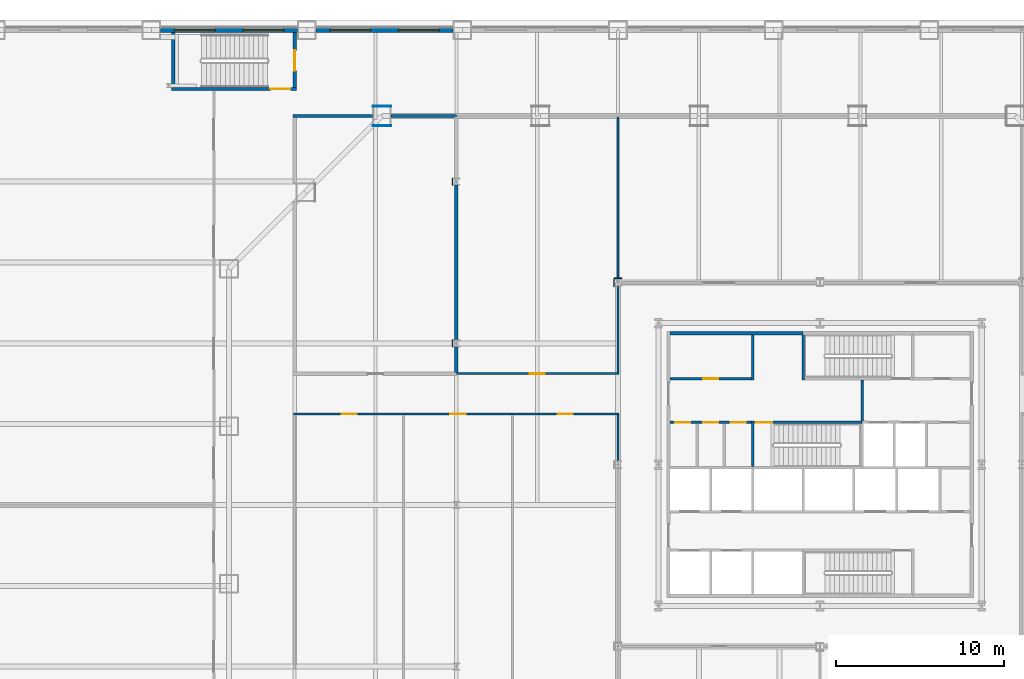
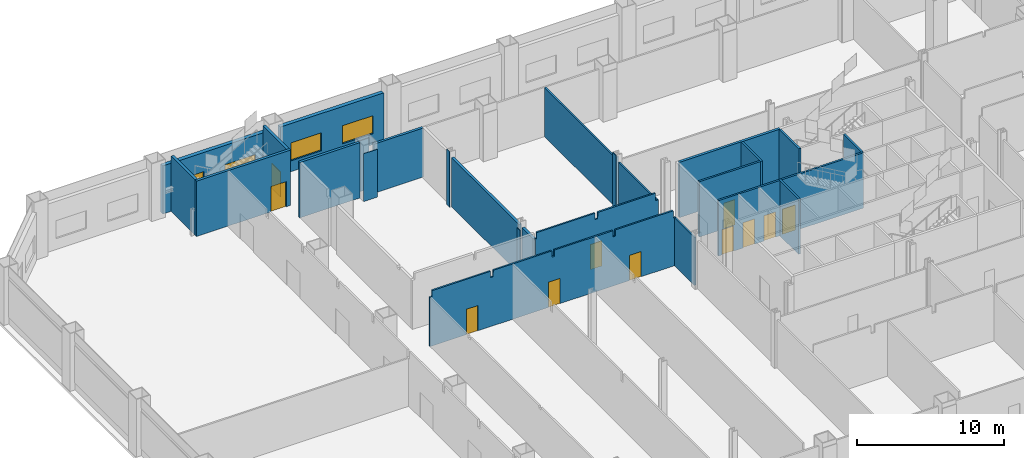
# One storey, part 15 of 25: 28 walls, 11 doors, 4 windows, 15 openings.
"""IFC4 building model written with IfcOpenShell, lengths in metres."""

from ifc_helpers import new_model, si_unit, direction, frame, frame_2d, origin, place, context, subcontext, project, spatial, polyline, rectangle, outline, extrude, material, layer, layer_set, type_object, element, fill, save


model = new_model("IFC4")

# Units and contexts
model_context = context("Model", 3, precision=1e-05, world=origin(), true_north=direction((0.0, 1.0)))
body_context = subcontext(model_context, "Body", "Model", "MODEL_VIEW")
ifc_project = project(units=[si_unit("LENGTHUNIT", "METRE"), si_unit("AREAUNIT", "SQUARE_METRE"), si_unit("VOLUMEUNIT", "CUBIC_METRE"), si_unit("PLANEANGLEUNIT", "RADIAN"), si_unit("MASSUNIT", "GRAM", prefix="KILO")], contexts=[model_context])

# Site, building, storey
site_placement = place(None, origin())
site = spatial("IfcSite", under=ifc_project, at=site_placement, CompositionType="ELEMENT")
building_placement = place(site_placement, origin())
building = spatial("IfcBuilding", under=site, at=building_placement, Name="Cairn Pilgrim Tower", CompositionType="ELEMENT")
storey_placement = place(building_placement, frame((0.0, 0.0, 30.60009765625)))
storey = spatial("IfcBuildingStorey", under=building, at=storey_placement, Name="L05", CompositionType="ELEMENT", Elevation=30.60009765625)

# Wall
ifc_material_1 = material(Name="Concrete C32/40", Category="concrete")
ifc_layer_1 = layer(ifc_material_1, 0.199951171875)
ifc_layer_set_1 = layer_set([ifc_layer_1], Name="CORE OUTER WALL 200 EI 120")
wall_type_1 = type_object("IfcWallType", Name="CORE OUTER WALL 200 EI 120", PredefinedType="SOLIDWALL", material=ifc_layer_set_1)
wall_1_placement = place(storey_placement, frame((-1.699951171875, 10.199951171875, 0.0), z_axis=(0.0, 0.0, 1.0), x_axis=(1.0, 0.0, 0.0)))
element("IfcWall", 1, at=wall_1_placement, inside=storey, type_object=wall_type_1, Name="CW:L05:H11-1", PredefinedType="SOLIDWALL", context=body_context, shape_type="SweptSolid", body=[
    extrude(rectangle(XDim=7.89990234375, YDim=0.199951171875, at=frame_2d((3.949951171875, 0.0))), origin(), (0.0, 0.0, 1.0), 4.599853515625),
])

# Wall, openings, doors
ifc_layer_2 = layer(ifc_material_1, 0.14990234375)
ifc_layer_set_2 = layer_set([ifc_layer_2], Name="CORE PARTITION 150 EI 60")
wall_type_2 = type_object("IfcWallType", Name="CORE PARTITION 150 EI 60", PredefinedType="PARTITIONING", material=ifc_layer_set_2)
wall_2_placement = place(storey_placement, frame((-1.699951171875, 4.89990234375, 0.0), z_axis=(0.0, 0.0, 1.0), x_axis=(1.0, 0.0, 0.0)))
wall_2 = element("IfcWall", 2, at=wall_2_placement, inside=storey, type_object=wall_type_2, Name="CW:L05:H07", PredefinedType="PARTITIONING", context=body_context, shape_type="SweptSolid", body=[
    extrude(rectangle(XDim=4.824951171875, YDim=0.14990234375, at=frame_2d((2.41259765625, 0.0))), origin(), (0.0, 0.0, 1.0), 4.599853515625),
])
opening_1_placement = place(wall_2_placement, frame((0.300048828125, 0.0, 0.0)))
opening_1 = element("IfcOpeningElement", 3, at=opening_1_placement, cuts=wall_2, Name="Opening RD-R3W1", PredefinedType="OPENING", context=body_context, shape_type="SweptSolid", body=[
    extrude(rectangle(XDim=0.89990234375, YDim=2.10009765625, at=frame_2d((0.449951171875, 1.050048828125))), frame((0.0, 0.0849609375, 0.0), z_axis=(0.0, -1.0, 0.0), x_axis=(1.0, 0.0, 0.0)), (0.0, 0.0, 1.0), 0.169921875),
])
opening_2_placement = place(wall_2_placement, frame((1.949951171875, 0.0, 0.0)))
opening_2 = element("IfcOpeningElement", 4, at=opening_2_placement, cuts=wall_2, Name="Opening RD-R3W2", PredefinedType="OPENING", context=body_context, shape_type="SweptSolid", body=[
    extrude(rectangle(XDim=0.89990234375, YDim=2.10009765625, at=frame_2d((0.449951171875, 1.050048828125))), frame((0.0, 0.0849609375, 0.0), z_axis=(0.0, -1.0, 0.0), x_axis=(1.0, 0.0, 0.0)), (0.0, 0.0, 1.0), 0.169921875),
])
opening_3_placement = place(wall_2_placement, frame((3.60009765625, 0.0, 0.0)))
opening_3 = element("IfcOpeningElement", 5, at=opening_3_placement, cuts=wall_2, Name="Opening RD-R3W3", PredefinedType="OPENING", context=body_context, shape_type="SweptSolid", body=[
    extrude(rectangle(XDim=0.89990234375, YDim=2.10009765625, at=frame_2d((0.449951171875, 1.050048828125))), frame((0.0, 0.0849609375, 0.0), z_axis=(0.0, -1.0, 0.0), x_axis=(1.0, 0.0, 0.0)), (0.0, 0.0, 1.0), 0.169921875),
])
ifc_material_2 = material(Name="Painted steel", Category="steel")
door_type_1 = type_object("IfcDoorType", Name="SERVICE ROOM DOOR 900x2100", OperationType="SINGLE_SWING_LEFT", PredefinedType="DOOR", material=ifc_material_2)
door_1_placement = place(opening_1_placement, origin())
door_1 = element("IfcDoor", 6, at=door_1_placement, inside=storey, type_object=door_type_1, Name="RD-R3W1", OperationType="SINGLE_SWING_RIGHT", OverallHeight=2.10009765625, OverallWidth=0.89990234375, PredefinedType="DOOR", context=body_context, shape_type="SweptSolid", body=[
    extrude(rectangle(XDim=0.89990234375, YDim=2.10009765625, at=frame_2d((0.449951171875, 1.050048828125))), frame((0.0, 0.02490234375, 0.0), z_axis=(0.0, -1.0, 0.0), x_axis=(1.0, 0.0, 0.0)), (0.0, 0.0, 1.0), 0.050048828125),
])
fill(opening_1, door_1)
door_2_placement = place(opening_2_placement, origin())
door_2 = element("IfcDoor", 7, at=door_2_placement, inside=storey, type_object=door_type_1, Name="RD-R3W2", OperationType="SINGLE_SWING_LEFT", OverallHeight=2.10009765625, OverallWidth=0.89990234375, PredefinedType="DOOR", context=body_context, shape_type="SweptSolid", body=[
    extrude(rectangle(XDim=0.89990234375, YDim=2.10009765625, at=frame_2d((0.449951171875, 1.050048828125))), frame((0.0, 0.02490234375, 0.0), z_axis=(0.0, -1.0, 0.0), x_axis=(1.0, 0.0, 0.0)), (0.0, 0.0, 1.0), 0.050048828125),
])
fill(opening_2, door_2)
door_3_placement = place(opening_3_placement, origin())
door_3 = element("IfcDoor", 8, at=door_3_placement, inside=storey, type_object=door_type_1, Name="RD-R3W3", OperationType="SINGLE_SWING_RIGHT", OverallHeight=2.10009765625, OverallWidth=0.89990234375, PredefinedType="DOOR", context=body_context, shape_type="SweptSolid", body=[
    extrude(rectangle(XDim=0.89990234375, YDim=2.10009765625, at=frame_2d((0.449951171875, 1.050048828125))), frame((0.0, 0.02490234375, 0.0), z_axis=(0.0, -1.0, 0.0), x_axis=(1.0, 0.0, 0.0)), (0.0, 0.0, 1.0), 0.050048828125),
])
fill(opening_3, door_3)

# Wall, opening, door
wall_3_placement = place(storey_placement, frame((-1.699951171875, 7.5, 0.0), z_axis=(0.0, 0.0, 1.0), x_axis=(1.0, 0.0, 0.0)))
wall_3 = element("IfcWall", 9, at=wall_3_placement, inside=storey, type_object=wall_type_2, Name="CW:L05:H09", PredefinedType="PARTITIONING", context=body_context, shape_type="SweptSolid", body=[
    extrude(rectangle(XDim=4.824951171875, YDim=0.14990234375, at=frame_2d((2.41259765625, 0.0))), origin(), (0.0, 0.0, 1.0), 4.599853515625),
])
opening_4_placement = place(wall_3_placement, frame((1.949951171875, 0.0, 0.0)))
opening_4 = element("IfcOpeningElement", 10, at=opening_4_placement, cuts=wall_3, Name="Opening RD-R4W1", PredefinedType="OPENING", context=body_context, shape_type="SweptSolid", body=[
    extrude(rectangle(XDim=0.89990234375, YDim=2.10009765625, at=frame_2d((0.449951171875, 1.050048828125))), frame((0.0, 0.0849609375, 0.0), z_axis=(0.0, -1.0, 0.0), x_axis=(1.0, 0.0, 0.0)), (0.0, 0.0, 1.0), 0.169921875),
])
door_4_placement = place(opening_4_placement, origin())
door_4 = element("IfcDoor", 11, at=door_4_placement, inside=storey, type_object=door_type_1, Name="RD-R4W1", OperationType="SINGLE_SWING_LEFT", OverallHeight=2.10009765625, OverallWidth=0.89990234375, PredefinedType="DOOR", context=body_context, shape_type="SweptSolid", body=[
    extrude(rectangle(XDim=0.89990234375, YDim=2.10009765625, at=frame_2d((0.449951171875, 1.050048828125))), frame((0.0, 0.02490234375, 0.0), z_axis=(0.0, -1.0, 0.0), x_axis=(1.0, 0.0, 0.0)), (0.0, 0.0, 1.0), 0.050048828125),
])
fill(opening_4, door_4)

# Walls
wall_4_placement = place(storey_placement, frame((3.199951171875, 7.425048828125, 0.0), z_axis=(0.0, 0.0, 1.0), x_axis=(0.0, 1.0, 0.0)))
element("IfcWall", 12, at=wall_4_placement, inside=storey, type_object=wall_type_2, Name="CW:L05:V20", PredefinedType="PARTITIONING", context=body_context, shape_type="SweptSolid", body=[
    extrude(rectangle(XDim=2.675048828125, YDim=0.14990234375, at=frame_2d((1.33740234375, 0.0))), origin(), (0.0, 0.0, 1.0), 4.599853515625),
])
ifc_layer_3 = layer(ifc_material_1, 0.14990234375)
ifc_layer_set_3 = layer_set([ifc_layer_3], Name="CORE SHAFT WALL 150 EI 120")
wall_type_3 = type_object("IfcWallType", Name="CORE SHAFT WALL 150 EI 120", PredefinedType="SOLIDWALL", material=ifc_layer_set_3)
wall_5_placement = place(storey_placement, frame((9.699951171875, 4.97509765625, 0.0), z_axis=(0.0, 0.0, 1.0), x_axis=(0.0, 1.0, 0.0)))
element("IfcWall", 13, at=wall_5_placement, inside=storey, type_object=wall_type_3, Name="CW:L05:V26", PredefinedType="SOLIDWALL", context=body_context, shape_type="SweptSolid", body=[
    extrude(rectangle(XDim=2.449951171875, YDim=0.14990234375, at=frame_2d((1.22509765625, 0.0))), origin(), (0.0, 0.0, 1.0), 4.599853515625),
])
ifc_material_3 = material(Name="Gypsum partition")
ifc_layer_4 = layer(ifc_material_3, 0.125)
ifc_layer_set_4 = layer_set([ifc_layer_4], Name="PARTITION 125 DRYWALL EI 60")
wall_type_4 = type_object("IfcWallType", Name="PARTITION 125 DRYWALL EI 60", PredefinedType="PARTITIONING", material=ifc_layer_set_4)
wall_6_placement = place(storey_placement, frame((-4.800048828125, 2.636962890625, 0.0), z_axis=(0.0, 0.0, 1.0), x_axis=(0.0, 1.0, 0.0)))
element("IfcWall", 14, at=wall_6_placement, inside=storey, type_object=wall_type_4, Name="PARTITION W038", PredefinedType="PARTITIONING", context=body_context, shape_type="SweptSolid", body=[
    extrude(rectangle(XDim=2.700439453125, YDim=0.125, at=frame_2d((1.35009765625, 0.0))), origin(), (0.0, 0.0, 1.0), 3.97998046875),
])

# Wall, openings, doors
wall_7_placement = place(storey_placement, frame((-24.0625, 5.39990234375, 0.0), z_axis=(0.0, 0.0, 1.0), x_axis=(1.0, 0.0, 0.0)))
wall_7 = element("IfcWall", 15, at=wall_7_placement, inside=storey, type_object=wall_type_4, Name="PARTITION W044", PredefinedType="PARTITIONING", context=body_context, shape_type="SweptSolid", body=[
    extrude(outline(polyline([(0.0, 0.0), (19.324951171875, 0.0), (19.324951171875, 3.97998046875), (19.112548828125, 3.97998046875), (19.110595703125, 4.599853515625), (14.5625, 4.599853515625), (14.560546875, 4.079833984375), (14.362548828125, 4.079833984375), (14.360595703125, 4.599853515625), (9.762451171875, 4.599853515625), (9.760498046875, 4.079833984375), (9.5625, 4.079833984375), (9.560546875, 4.599853515625), (4.96240234375, 4.599853515625), (4.96044921875, 4.079833984375), (4.762451171875, 4.079833984375), (4.760498046875, 4.599853515625), (0.16259765625, 4.599853515625), (0.160400390625, 4.079833984375), (0.0, 4.079833984375), (0.0, 0.0)])), frame((0.0, 0.0625, 0.0), z_axis=(0.0, -1.0, 0.0), x_axis=(1.0, 0.0, 0.0)), (0.0, 0.0, 1.0), 0.125),
])
opening_5_placement = place(wall_7_placement, frame((2.845703125, 0.0, 0.0)))
opening_5 = element("IfcOpeningElement", 16, at=opening_5_placement, cuts=wall_7, Name="Opening 0503", PredefinedType="OPENING", context=body_context, shape_type="SweptSolid", body=[
    extrude(rectangle(XDim=0.89990234375, YDim=2.10009765625, at=frame_2d((0.449951171875, 1.050048828125))), frame((0.0, 0.072509765625, 0.0), z_axis=(0.0, -1.0, 0.0), x_axis=(1.0, 0.0, 0.0)), (0.0, 0.0, 1.0), 0.14501953125),
])
opening_6_placement = place(wall_7_placement, frame((9.313720703125, 0.0, 0.0)))
opening_6 = element("IfcOpeningElement", 17, at=opening_6_placement, cuts=wall_7, Name="Opening 0504", PredefinedType="OPENING", context=body_context, shape_type="SweptSolid", body=[
    extrude(rectangle(XDim=0.89990234375, YDim=2.10009765625, at=frame_2d((0.449951171875, 1.050048828125))), frame((0.0, 0.072509765625, 0.0), z_axis=(0.0, -1.0, 0.0), x_axis=(1.0, 0.0, 0.0)), (0.0, 0.0, 1.0), 0.14501953125),
])
opening_7_placement = place(wall_7_placement, frame((15.679931640625, 0.0, 0.0)))
opening_7 = element("IfcOpeningElement", 18, at=opening_7_placement, cuts=wall_7, Name="Opening 0505", PredefinedType="OPENING", context=body_context, shape_type="SweptSolid", body=[
    extrude(rectangle(XDim=0.89990234375, YDim=2.10009765625, at=frame_2d((0.449951171875, 1.050048828125))), frame((0.0, 0.072509765625, 0.0), z_axis=(0.0, -1.0, 0.0), x_axis=(1.0, 0.0, 0.0)), (0.0, 0.0, 1.0), 0.14501953125),
])
ifc_material_4 = material(Name="Timber door leaf", Category="wood")
door_type_2 = type_object("IfcDoorType", Name="ROOM DOOR 900x2100 FD30S", OperationType="NOTDEFINED", PredefinedType="DOOR", material=ifc_material_4)
door_5_placement = place(opening_7_placement, origin())
door_5 = element("IfcDoor", 19, at=door_5_placement, inside=storey, type_object=door_type_2, Name="DOOR 0505", OperationType="SINGLE_SWING_LEFT", OverallHeight=2.10009765625, OverallWidth=0.89990234375, PredefinedType="DOOR", context=body_context, shape_type="SweptSolid", body=[
    extrude(rectangle(XDim=0.89990234375, YDim=2.10009765625, at=frame_2d((0.449951171875, 1.050048828125))), frame((0.0, 0.02490234375, 0.0), z_axis=(0.0, -1.0, 0.0), x_axis=(1.0, 0.0, 0.0)), (0.0, 0.0, 1.0), 0.050048828125),
])
fill(opening_7, door_5)
door_type_3 = type_object("IfcDoorType", Name="SERVICE DOOR 900x2100 FD30S", OperationType="NOTDEFINED", PredefinedType="DOOR", material=ifc_material_4)
door_6_placement = place(opening_5_placement, origin())
door_6 = element("IfcDoor", 20, at=door_6_placement, inside=storey, type_object=door_type_3, Name="DOOR 0503", OperationType="SINGLE_SWING_LEFT", OverallHeight=2.10009765625, OverallWidth=0.89990234375, PredefinedType="DOOR", context=body_context, shape_type="SweptSolid", body=[
    extrude(rectangle(XDim=0.89990234375, YDim=2.10009765625, at=frame_2d((0.449951171875, 1.050048828125))), frame((0.0, 0.02490234375, 0.0), z_axis=(0.0, -1.0, 0.0), x_axis=(1.0, 0.0, 0.0)), (0.0, 0.0, 1.0), 0.050048828125),
])
fill(opening_5, door_6)
door_7_placement = place(opening_6_placement, origin())
door_7 = element("IfcDoor", 21, at=door_7_placement, inside=storey, type_object=door_type_3, Name="DOOR 0504", OperationType="SINGLE_SWING_RIGHT", OverallHeight=2.10009765625, OverallWidth=0.89990234375, PredefinedType="DOOR", context=body_context, shape_type="SweptSolid", body=[
    extrude(rectangle(XDim=0.89990234375, YDim=2.10009765625, at=frame_2d((0.449951171875, 1.050048828125))), frame((0.0, 0.02490234375, 0.0), z_axis=(0.0, -1.0, 0.0), x_axis=(1.0, 0.0, 0.0)), (0.0, 0.0, 1.0), 0.050048828125),
])
fill(opening_6, door_7)

# Wall, opening, door
wall_8_placement = place(storey_placement, frame((-14.39990234375, 7.800048828125, 0.0), z_axis=(0.0, 0.0, 1.0), x_axis=(1.0, 0.0, 0.0)))
wall_8 = element("IfcWall", 22, at=wall_8_placement, inside=storey, type_object=wall_type_4, Name="PARTITION W047", PredefinedType="PARTITIONING", context=body_context, shape_type="SweptSolid", body=[
    extrude(outline(polyline([(0.0, 0.0), (9.662353515625, 0.0), (9.66259765625, 3.97998046875), (9.449951171875, 3.97998046875), (9.447998046875, 4.599853515625), (4.89990234375, 4.599853515625), (4.89794921875, 4.079833984375), (4.699951171875, 4.079833984375), (4.697998046875, 4.599853515625), (0.10009765625, 4.599853515625), (0.097900390625, 4.079833984375), (0.0, 4.079833984375), (0.0, 0.0)])), frame((0.0, 0.0625, 0.0), z_axis=(0.0, -1.0, 0.0), x_axis=(1.0, 0.0, 0.0)), (0.0, 0.0, 1.0), 0.125),
])
opening_8_placement = place(wall_8_placement, frame((4.35009765625, 0.0, 0.0)))
opening_8 = element("IfcOpeningElement", 23, at=opening_8_placement, cuts=wall_8, Name="Opening 0502", PredefinedType="OPENING", context=body_context, shape_type="SweptSolid", body=[
    extrude(rectangle(XDim=0.89990234375, YDim=2.10009765625, at=frame_2d((0.449951171875, 1.050048828125))), frame((0.0, 0.072509765625, 0.0), z_axis=(0.0, -1.0, 0.0), x_axis=(1.0, 0.0, 0.0)), (0.0, 0.0, 1.0), 0.14501953125),
])
door_8_placement = place(opening_8_placement, frame((0.89990234375, 0.0, 0.0), z_axis=(0.0, 0.0, 1.0), x_axis=(-1.0, 0.0, 0.0)))
door_8 = element("IfcDoor", 24, at=door_8_placement, inside=storey, type_object=door_type_2, Name="DOOR 0502", OperationType="SINGLE_SWING_LEFT", OverallHeight=2.10009765625, OverallWidth=0.89990234375, PredefinedType="DOOR", context=body_context, shape_type="SweptSolid", body=[
    extrude(rectangle(XDim=0.89990234375, YDim=2.10009765625, at=frame_2d((0.449951171875, 1.050048828125))), frame((0.0, 0.02490234375, 0.0), z_axis=(0.0, -1.0, 0.0), x_axis=(1.0, 0.0, 0.0)), (0.0, 0.0, 1.0), 0.050048828125),
])
fill(opening_8, door_8)

# Walls
wall_9_placement = place(storey_placement, frame((-4.800048828125, 7.862548828125, 0.0), z_axis=(0.0, 0.0, 1.0), x_axis=(0.0, 1.0, 0.0)))
element("IfcWall", 25, at=wall_9_placement, inside=storey, type_object=wall_type_4, Name="PARTITION W051", PredefinedType="PARTITIONING", context=body_context, shape_type="SweptSolid", body=[
    extrude(rectangle(XDim=5.100341796875, YDim=0.125, at=frame_2d((2.55029296875, 0.0))), origin(), (0.0, 0.0, 1.0), 3.97998046875),
])
wall_10_placement = place(storey_placement, frame((-4.800048828125, 13.43701171875, 0.0), z_axis=(0.0, 0.0, 1.0), x_axis=(0.0, 1.0, 0.0)))
element("IfcWall", 26, at=wall_10_placement, inside=storey, type_object=wall_type_4, Name="PARTITION W059", PredefinedType="PARTITIONING", context=body_context, shape_type="SweptSolid", body=[
    extrude(rectangle(XDim=9.6005859375, YDim=0.125, at=frame_2d((4.80029296875, 0.0))), origin(), (0.0, 0.0, 1.0), 4.079833984375),
])
ifc_layer_5 = layer(ifc_material_3, 0.050048828125)
ifc_layer_set_5 = layer_set([ifc_layer_5], Name="PARTITION 50 DRYWALL EI 120")
wall_type_5 = type_object("IfcWallType", Name="PARTITION 50 DRYWALL EI 120", PredefinedType="PARTITIONING", material=ifc_layer_set_5)
wall_11_placement = place(storey_placement, frame((-14.62939453125, 9.387451171875, 0.0), z_axis=(0.0, 0.0, 1.0), x_axis=(0.0, 1.0, 0.0)))
element("IfcWall", 27, at=wall_11_placement, inside=storey, type_object=wall_type_5, Name="COLUMN CASING WC28", PredefinedType="PARTITIONING", context=body_context, shape_type="SweptSolid", body=[
    extrude(rectangle(XDim=0.425048828125, YDim=0.050048828125, at=frame_2d((0.21240234375, 0.0))), origin(), (0.0, 0.0, 1.0), 3.8798828125),
])
wall_12_placement = place(storey_placement, frame((-14.62939453125, 18.987548828125, 0.0), z_axis=(0.0, 0.0, 1.0), x_axis=(0.0, 1.0, 0.0)))
element("IfcWall", 28, at=wall_12_placement, inside=storey, type_object=wall_type_5, Name="COLUMN CASING WC29", PredefinedType="PARTITIONING", context=body_context, shape_type="SweptSolid", body=[
    extrude(rectangle(XDim=0.425048828125, YDim=0.050048828125, at=frame_2d((0.21240234375, 0.0))), origin(), (0.0, 0.0, 1.0), 4.599853515625),
])
wall_13_placement = place(storey_placement, frame((-19.377197265625, 22.52490234375, 0.0), z_axis=(0.0, 0.0, 1.0), x_axis=(1.0, 0.0, 0.0)))
element("IfcWall", 29, at=wall_13_placement, inside=storey, type_object=wall_type_5, Name="COLUMN CASING WC38", PredefinedType="PARTITIONING", context=body_context, shape_type="SweptSolid", body=[
    extrude(rectangle(XDim=1.10009765625, YDim=0.050048828125, at=frame_2d((0.550048828125, 0.0))), origin(), (0.0, 0.0, 1.0), 3.97998046875),
])
wall_14_placement = place(storey_placement, frame((-19.377197265625, 23.675048828125, 0.0), z_axis=(0.0, 0.0, 1.0), x_axis=(1.0, 0.0, 0.0)))
element("IfcWall", 30, at=wall_14_placement, inside=storey, type_object=wall_type_5, Name="COLUMN CASING WC39", PredefinedType="PARTITIONING", context=body_context, shape_type="SweptSolid", body=[
    extrude(rectangle(XDim=1.10009765625, YDim=0.050048828125, at=frame_2d((0.550048828125, 0.0))), origin(), (0.0, 0.0, 1.0), 4.219970703125),
])
ifc_layer_6 = layer(ifc_material_3, 0.050048828125)
ifc_layer_set_6 = layer_set([ifc_layer_6], Name="PARTITION 50 DRYWALL EI 60")
wall_type_6 = type_object("IfcWallType", Name="PARTITION 50 DRYWALL EI 60", PredefinedType="PARTITIONING", material=ifc_layer_set_6)
wall_15_placement = place(storey_placement, frame((-5.037109375, 12.962890625, 0.0), z_axis=(0.0, 0.0, 1.0), x_axis=(0.0, 1.0, 0.0)))
element("IfcWall", 31, at=wall_15_placement, inside=storey, type_object=wall_type_6, Name="COLUMN CASING WC30", PredefinedType="PARTITIONING", context=body_context, shape_type="SweptSolid", body=[
    extrude(rectangle(XDim=0.47412109375, YDim=0.050048828125, at=frame_2d((0.237060546875, 0.0))), origin(), (0.0, 0.0, 1.0), 4.599853515625),
])
wall_16_placement = place(storey_placement, frame((-5.011962890625, 13.4619140625, 0.0), z_axis=(0.0, 0.0, 1.0), x_axis=(1.0, 0.0, 0.0)))
element("IfcWall", 32, at=wall_16_placement, inside=storey, type_object=wall_type_6, Name="COLUMN CASING WC34", PredefinedType="PARTITIONING", context=body_context, shape_type="SweptSolid", body=[
    extrude(rectangle(XDim=0.424072265625, YDim=0.050048828125, at=frame_2d((0.2119140625, 0.0))), origin(), (0.0, 0.0, 1.0), 4.079833984375),
])

# Wall, opening, door
ifc_material_5 = material(Name="Concrete C35/45", Category="concrete")
ifc_layer_7 = layer(ifc_material_5, 0.199951171875)
ifc_layer_set_7 = layer_set([ifc_layer_7], Name="PODIUM STAIR WALL 200 EI 120")
wall_type_7 = type_object("IfcWallType", Name="PODIUM STAIR WALL 200 EI 120", PredefinedType="SOLIDWALL", material=ifc_layer_set_7)
wall_17_placement = place(storey_placement, frame((-31.300048828125, 24.699951171875, 0.0), z_axis=(0.0, 0.0, 1.0), x_axis=(1.0, 0.0, 0.0)))
wall_17 = element("IfcWall", 33, at=wall_17_placement, inside=storey, type_object=wall_type_7, Name="STAIR SHAFT WALL W074", PredefinedType="SOLIDWALL", context=body_context, shape_type="SweptSolid", body=[
    extrude(rectangle(XDim=7.400146484375, YDim=0.199951171875, at=frame_2d((3.7001953125, 0.0))), origin(), (0.0, 0.0, 1.0), 4.599853515625),
])
opening_9_placement = place(wall_17_placement, frame((5.85009765625, 0.0, 0.0)))
opening_9 = element("IfcOpeningElement", 34, at=opening_9_placement, cuts=wall_17, Name="Opening 0520", PredefinedType="OPENING", context=body_context, shape_type="SweptSolid", body=[
    extrude(rectangle(XDim=1.199951171875, YDim=2.10009765625, at=frame_2d((0.60009765625, 1.050048828125))), frame((0.0, 0.10986328125, 0.0), z_axis=(0.0, -1.0, 0.0), x_axis=(1.0, 0.0, 0.0)), (0.0, 0.0, 1.0), 0.219970703125),
])
ifc_material_6 = material(Name="Steel-faced fire door leaf", Category="steel")
door_type_4 = type_object("IfcDoorType", Name="FIRE DOOR 1200x2100 FD60S", OperationType="NOTDEFINED", PredefinedType="DOOR", material=ifc_material_6)
door_9_placement = place(opening_9_placement, origin())
door_9 = element("IfcDoor", 35, at=door_9_placement, inside=storey, type_object=door_type_4, Name="DOOR 0520", OperationType="SINGLE_SWING_RIGHT", OverallHeight=2.10009765625, OverallWidth=1.199951171875, PredefinedType="DOOR", context=body_context, shape_type="SweptSolid", body=[
    extrude(rectangle(XDim=1.199951171875, YDim=2.10009765625, at=frame_2d((0.60009765625, 1.050048828125))), frame((0.0, 0.02490234375, 0.0), z_axis=(0.0, -1.0, 0.0), x_axis=(1.0, 0.0, 0.0)), (0.0, 0.0, 1.0), 0.050048828125),
])
fill(opening_9, door_9)

# Wall
wall_18_placement = place(storey_placement, frame((-31.199951171875, 24.800048828125, 0.0), z_axis=(0.0, 0.0, 1.0), x_axis=(0.0, 1.0, 0.0)))
element("IfcWall", 36, at=wall_18_placement, inside=storey, type_object=wall_type_7, Name="STAIR SHAFT WALL W075", PredefinedType="SOLIDWALL", context=body_context, shape_type="SweptSolid", body=[
    extrude(rectangle(XDim=3.25, YDim=0.199951171875, at=frame_2d((1.625, 0.0))), origin(), (0.0, 0.0, 1.0), 4.599853515625),
])

# Wall, opening, door
wall_19_placement = place(storey_placement, frame((-24.0, 24.800048828125, 0.0), z_axis=(0.0, 0.0, 1.0), x_axis=(0.0, 1.0, 0.0)))
wall_19 = element("IfcWall", 37, at=wall_19_placement, inside=storey, type_object=wall_type_7, Name="STAIR SHAFT WALL W076", PredefinedType="SOLIDWALL", context=body_context, shape_type="SweptSolid", body=[
    extrude(rectangle(XDim=3.25, YDim=0.199951171875, at=frame_2d((1.625, 0.0))), origin(), (0.0, 0.0, 1.0), 4.599853515625),
])
opening_10_placement = place(wall_19_placement, frame((1.0, 0.0, 0.0)))
opening_10 = element("IfcOpeningElement", 38, at=opening_10_placement, cuts=wall_19, Name="Opening 0521", PredefinedType="OPENING", context=body_context, shape_type="SweptSolid", body=[
    extrude(rectangle(XDim=1.199951171875, YDim=2.10009765625, at=frame_2d((0.60009765625, 1.050048828125))), frame((0.0, 0.10986328125, 0.0), z_axis=(0.0, -1.0, 0.0), x_axis=(1.0, 0.0, 0.0)), (0.0, 0.0, 1.0), 0.219970703125),
])
door_10_placement = place(opening_10_placement, origin())
door_10 = element("IfcDoor", 39, at=door_10_placement, inside=storey, type_object=door_type_4, Name="DOOR 0521", OperationType="SINGLE_SWING_LEFT", OverallHeight=2.10009765625, OverallWidth=1.199951171875, PredefinedType="DOOR", context=body_context, shape_type="SweptSolid", body=[
    extrude(rectangle(XDim=1.199951171875, YDim=2.10009765625, at=frame_2d((0.60009765625, 1.050048828125))), frame((0.0, 0.02490234375, 0.0), z_axis=(0.0, -1.0, 0.0), x_axis=(1.0, 0.0, 0.0)), (0.0, 0.0, 1.0), 0.050048828125),
])
fill(opening_10, door_10)

# Wall, openings, windows
ifc_material_7 = material(Name="Concrete C35/45 backup wall with bronze aluminium cladding", Category="concrete")
ifc_layer_8 = layer(ifc_material_7, 0.300048828125)
ifc_layer_set_8 = layer_set([ifc_layer_8], Name="PODIUM WALL 300 BRONZE-CLAD")
wall_type_8 = type_object("IfcWallType", Name="PODIUM WALL 300 BRONZE-CLAD", PredefinedType="SOLIDWALL", material=ifc_layer_set_8)
wall_20_placement = place(storey_placement, frame((-14.587890625, 28.199951171875, 0.0), z_axis=(0.0, 0.0, 1.0), x_axis=(-1.0, 0.0, 0.0)))
wall_20 = element("IfcWall", 40, at=wall_20_placement, inside=storey, type_object=wall_type_8, Name="PODIUM EXTERNAL WALL N6-N7", PredefinedType="SOLIDWALL", context=body_context, shape_type="SweptSolid", body=[
    extrude(rectangle(XDim=8.1376953125, YDim=0.300048828125, at=frame_2d((4.06884765625, 0.0))), origin(), (0.0, 0.0, 1.0), 4.0),
])
opening_11_placement = place(wall_20_placement, frame((0.83447265625, 0.0, 0.89990234375)))
opening_11 = element("IfcOpeningElement", 41, at=opening_11_placement, cuts=wall_20, Name="Opening PW15", PredefinedType="OPENING", context=body_context, shape_type="SweptSolid", body=[
    extrude(rectangle(XDim=2.39990234375, YDim=1.5, at=frame_2d((1.199951171875, 0.75))), frame((0.0, 0.16015625, 0.0), z_axis=(0.0, -1.0, 0.0), x_axis=(1.0, 0.0, 0.0)), (0.0, 0.0, 1.0), 0.320068359375),
])
opening_12_placement = place(wall_20_placement, frame((4.9033203125, 0.0, 0.89990234375)))
opening_12 = element("IfcOpeningElement", 42, at=opening_12_placement, cuts=wall_20, Name="Opening PW15", PredefinedType="OPENING", context=body_context, shape_type="SweptSolid", body=[
    extrude(rectangle(XDim=2.39990234375, YDim=1.5, at=frame_2d((1.199951171875, 0.75))), frame((0.0, 0.16015625, 0.0), z_axis=(0.0, -1.0, 0.0), x_axis=(1.0, 0.0, 0.0)), (0.0, 0.0, 1.0), 0.320068359375),
])
ifc_material_8 = material(Name="Bronze anodised aluminium frame with tinted low-E glass", Category="aluminium")
window_type = type_object("IfcWindowType", Name="PODIUM FIXED WINDOW 2400x1500", PartitioningType="SINGLE_PANEL", PredefinedType="WINDOW", material=ifc_material_8)
window_1_placement = place(opening_11_placement, origin())
window_1 = element("IfcWindow", 43, at=window_1_placement, inside=storey, type_object=window_type, Name="PODIUM WINDOW", OverallHeight=1.5, OverallWidth=2.39990234375, PartitioningType="SINGLE_PANEL", PredefinedType="WINDOW", context=body_context, shape_type="SweptSolid", body=[
    extrude(rectangle(XDim=2.39990234375, YDim=1.5, at=frame_2d((1.199951171875, 0.75))), frame((0.0, 0.030029296875, 0.0), z_axis=(0.0, -1.0, 0.0), x_axis=(1.0, 0.0, 0.0)), (0.0, 0.0, 1.0), 0.06005859375),
])
fill(opening_11, window_1)
window_2_placement = place(opening_12_placement, origin())
window_2 = element("IfcWindow", 44, at=window_2_placement, inside=storey, type_object=window_type, Name="PODIUM WINDOW", OverallHeight=1.5, OverallWidth=2.39990234375, PartitioningType="SINGLE_PANEL", PredefinedType="WINDOW", context=body_context, shape_type="SweptSolid", body=[
    extrude(rectangle(XDim=2.39990234375, YDim=1.5, at=frame_2d((1.199951171875, 0.75))), frame((0.0, 0.030029296875, 0.0), z_axis=(0.0, -1.0, 0.0), x_axis=(1.0, 0.0, 0.0)), (0.0, 0.0, 1.0), 0.06005859375),
])
fill(opening_12, window_2)

wall_21_placement = place(storey_placement, frame((-23.82568359375, 28.199951171875, 0.0), z_axis=(0.0, 0.0, 1.0), x_axis=(-1.0, 0.0, 0.0)))
wall_21 = element("IfcWall", 45, at=wall_21_placement, inside=storey, type_object=wall_type_8, Name="PODIUM EXTERNAL WALL N7-N8", PredefinedType="SOLIDWALL", context=body_context, shape_type="SweptSolid", body=[
    extrude(rectangle(XDim=8.137939453125, YDim=0.300048828125, at=frame_2d((4.06884765625, 0.0))), origin(), (0.0, 0.0, 1.0), 4.0),
])
opening_13_placement = place(wall_21_placement, frame((0.83447265625, 0.0, 0.89990234375)))
opening_13 = element("IfcOpeningElement", 46, at=opening_13_placement, cuts=wall_21, Name="Opening PW15", PredefinedType="OPENING", context=body_context, shape_type="SweptSolid", body=[
    extrude(rectangle(XDim=2.39990234375, YDim=1.5, at=frame_2d((1.199951171875, 0.75))), frame((0.0, 0.16015625, 0.0), z_axis=(0.0, -1.0, 0.0), x_axis=(1.0, 0.0, 0.0)), (0.0, 0.0, 1.0), 0.320068359375),
])
opening_14_placement = place(wall_21_placement, frame((4.9033203125, 0.0, 0.89990234375)))
opening_14 = element("IfcOpeningElement", 47, at=opening_14_placement, cuts=wall_21, Name="Opening PW15", PredefinedType="OPENING", context=body_context, shape_type="SweptSolid", body=[
    extrude(rectangle(XDim=2.39990234375, YDim=1.5, at=frame_2d((1.199951171875, 0.75))), frame((0.0, 0.16015625, 0.0), z_axis=(0.0, -1.0, 0.0), x_axis=(1.0, 0.0, 0.0)), (0.0, 0.0, 1.0), 0.320068359375),
])
window_3_placement = place(opening_13_placement, origin())
window_3 = element("IfcWindow", 48, at=window_3_placement, inside=storey, type_object=window_type, Name="PODIUM WINDOW", OverallHeight=1.5, OverallWidth=2.39990234375, PartitioningType="SINGLE_PANEL", PredefinedType="WINDOW", context=body_context, shape_type="SweptSolid", body=[
    extrude(rectangle(XDim=2.39990234375, YDim=1.5, at=frame_2d((1.199951171875, 0.75))), frame((0.0, 0.030029296875, 0.0), z_axis=(0.0, -1.0, 0.0), x_axis=(1.0, 0.0, 0.0)), (0.0, 0.0, 1.0), 0.06005859375),
])
fill(opening_13, window_3)
window_4_placement = place(opening_14_placement, origin())
window_4 = element("IfcWindow", 49, at=window_4_placement, inside=storey, type_object=window_type, Name="PODIUM WINDOW", OverallHeight=1.5, OverallWidth=2.39990234375, PartitioningType="SINGLE_PANEL", PredefinedType="WINDOW", context=body_context, shape_type="SweptSolid", body=[
    extrude(rectangle(XDim=2.39990234375, YDim=1.5, at=frame_2d((1.199951171875, 0.75))), frame((0.0, 0.030029296875, 0.0), z_axis=(0.0, -1.0, 0.0), x_axis=(1.0, 0.0, 0.0)), (0.0, 0.0, 1.0), 0.06005859375),
])
fill(opening_14, window_4)

# Walls
ifc_layer_9 = layer(ifc_material_3, 0.199951171875)
ifc_layer_set_9 = layer_set([ifc_layer_9], Name="SHAFT WALL 200 GYPSUM EI 120")
wall_type_9 = type_object("IfcWallType", Name="SHAFT WALL 200 GYPSUM EI 120", PredefinedType="PARTITIONING", material=ifc_layer_set_9)
wall_22_placement = place(storey_placement, frame((-14.39990234375, 7.862548828125, 0.0), z_axis=(0.0, 0.0, 1.0), x_axis=(0.0, 1.0, 0.0)))
element("IfcWall", 50, at=wall_22_placement, inside=storey, type_object=wall_type_9, Name="PARTITION W050", PredefinedType="PARTITIONING", context=body_context, shape_type="SweptSolid", body=[
    extrude(rectangle(XDim=1.52490234375, YDim=0.199951171875, at=frame_2d((0.762451171875, 0.0))), origin(), (0.0, 0.0, 1.0), 4.079833984375),
])
wall_23_placement = place(storey_placement, frame((-14.39990234375, 9.8125, 0.0), z_axis=(0.0, 0.0, 1.0), x_axis=(0.0, 1.0, 0.0)))
element("IfcWall", 51, at=wall_23_placement, inside=storey, type_object=wall_type_9, Name="PARTITION W054", PredefinedType="PARTITIONING", context=body_context, shape_type="SweptSolid", body=[
    extrude(rectangle(XDim=9.175048828125, YDim=0.199951171875, at=frame_2d((4.58740234375, 0.0))), origin(), (0.0, 0.0, 1.0), 4.079833984375),
])
wall_24_placement = place(storey_placement, frame((-24.10009765625, 23.10009765625, 0.0), z_axis=(0.0, 0.0, 1.0), x_axis=(1.0, 0.0, 0.0)))
element("IfcWall", 52, at=wall_24_placement, inside=storey, type_object=wall_type_9, Name="PARTITION W067", PredefinedType="PARTITIONING", context=body_context, shape_type="SweptSolid", body=[
    extrude(rectangle(XDim=4.722900390625, YDim=0.199951171875, at=frame_2d((2.361328125, 0.0))), origin(), (0.0, 0.0, 1.0), 4.599853515625),
])
wall_25_placement = place(storey_placement, frame((-18.277099609375, 23.10009765625, 0.0), z_axis=(0.0, 0.0, 1.0), x_axis=(1.0, 0.0, 0.0)))
element("IfcWall", 53, at=wall_25_placement, inside=storey, type_object=wall_type_9, Name="PARTITION W068", PredefinedType="PARTITIONING", context=body_context, shape_type="SweptSolid", body=[
    extrude(rectangle(XDim=3.877197265625, YDim=0.199951171875, at=frame_2d((1.9384765625, 0.0))), origin(), (0.0, 0.0, 1.0), 4.079833984375),
])

# Wall, opening, door
ifc_layer_10 = layer(ifc_material_5, 0.14990234375)
ifc_layer_set_10 = layer_set([ifc_layer_10], Name="STAIR SHAFT WALL 150 EI 120")
wall_type_10 = type_object("IfcWallType", Name="STAIR SHAFT WALL 150 EI 120", PredefinedType="SOLIDWALL", material=ifc_layer_set_10)
wall_26_placement = place(storey_placement, frame((3.27490234375, 4.89990234375, 0.0), z_axis=(0.0, 0.0, 1.0), x_axis=(1.0, 0.0, 0.0)))
wall_26 = element("IfcWall", 54, at=wall_26_placement, inside=storey, type_object=wall_type_10, Name="CW:L05:H08-1", PredefinedType="SOLIDWALL", context=body_context, shape_type="SweptSolid", body=[
    extrude(rectangle(XDim=6.425048828125, YDim=0.14990234375, at=frame_2d((3.21240234375, 0.0))), origin(), (0.0, 0.0, 1.0), 4.599853515625),
])
opening_15_placement = place(wall_26_placement, frame((0.10009765625, 0.0, 0.0)))
opening_15 = element("IfcOpeningElement", 55, at=opening_15_placement, cuts=wall_26, Name="Opening SD-B", PredefinedType="OPENING", context=body_context, shape_type="SweptSolid", body=[
    extrude(rectangle(XDim=1.0, YDim=2.10009765625, at=frame_2d((0.5, 1.050048828125))), frame((0.0, 0.0849609375, 0.0), z_axis=(0.0, -1.0, 0.0), x_axis=(1.0, 0.0, 0.0)), (0.0, 0.0, 1.0), 0.169921875),
])
door_type_5 = type_object("IfcDoorType", Name="STAIR DOOR FD60S 1000x2100", OperationType="SINGLE_SWING_LEFT", PredefinedType="DOOR", material=ifc_material_2)
door_11_placement = place(opening_15_placement, origin())
door_11 = element("IfcDoor", 56, at=door_11_placement, inside=storey, type_object=door_type_5, Name="SD-B", OperationType="SINGLE_SWING_LEFT", OverallHeight=2.10009765625, OverallWidth=1.0, PredefinedType="DOOR", context=body_context, shape_type="SweptSolid", body=[
    extrude(rectangle(XDim=1.0, YDim=2.10009765625, at=frame_2d((0.5, 1.050048828125))), frame((0.0, 0.02490234375, 0.0), z_axis=(0.0, -1.0, 0.0), x_axis=(1.0, 0.0, 0.0)), (0.0, 0.0, 1.0), 0.050048828125),
])
fill(opening_15, door_11)

# Walls
wall_27_placement = place(storey_placement, frame((3.199951171875, 2.27490234375, 0.0), z_axis=(0.0, 0.0, 1.0), x_axis=(0.0, 1.0, 0.0)))
element("IfcWall", 57, at=wall_27_placement, inside=storey, type_object=wall_type_10, Name="CW:L05:V19", PredefinedType="SOLIDWALL", context=body_context, shape_type="SweptSolid", body=[
    extrude(rectangle(XDim=2.7001953125, YDim=0.14990234375, at=frame_2d((1.35009765625, 0.0))), origin(), (0.0, 0.0, 1.0), 4.599853515625),
])
wall_28_placement = place(storey_placement, frame((6.199951171875, 7.425048828125, 0.0), z_axis=(0.0, 0.0, 1.0), x_axis=(0.0, 1.0, 0.0)))
element("IfcWall", 58, at=wall_28_placement, inside=storey, type_object=wall_type_10, Name="CW:L05:V23", PredefinedType="SOLIDWALL", context=body_context, shape_type="SweptSolid", body=[
    extrude(rectangle(XDim=2.675048828125, YDim=0.14990234375, at=frame_2d((1.33740234375, 0.0))), origin(), (0.0, 0.0, 1.0), 4.599853515625),
])

save(model, "model.ifc")
